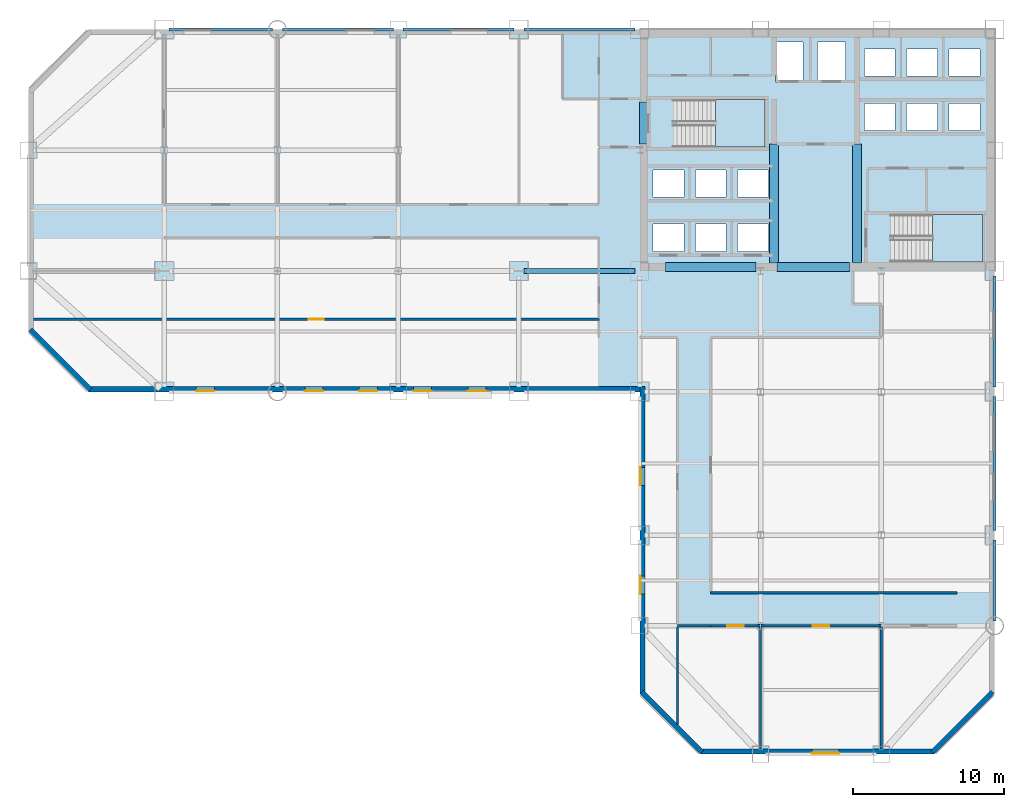
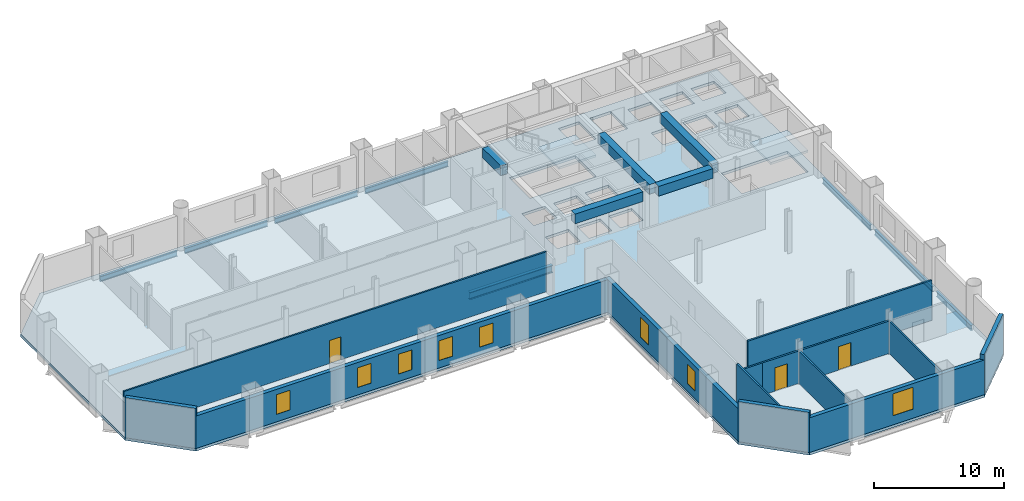
# One storey, part 4 of 9: 14 walls, 13 beams, 8 windows, 3 doors, 3 slabs, 11 openings, 2 elements without a shape of their own.
"""IFC4 building model written with IfcOpenShell, lengths in metres."""

from ifc_helpers import new_model, si_unit, direction, frame, frame_2d, origin, origin_2d, place, context, subcontext, project, spatial, polyline, rectangle, i_section, outline, extrude, material, layer, layer_set, material_profile, profile_set, type_object, element, fill, aggregate, save


model = new_model("IFC4")

# Units and contexts
model_context = context("Model", 3, precision=1e-05, world=origin(), true_north=direction((0.0, 1.0)))
body_context = subcontext(model_context, "Body", "Model", "MODEL_VIEW")
ifc_project = project(units=[si_unit("LENGTHUNIT", "METRE"), si_unit("AREAUNIT", "SQUARE_METRE"), si_unit("VOLUMEUNIT", "CUBIC_METRE"), si_unit("PLANEANGLEUNIT", "RADIAN"), si_unit("MASSUNIT", "GRAM", prefix="KILO")], contexts=[model_context])

# Site, building, storey
site_placement = place(None, origin())
site = spatial("IfcSite", under=ifc_project, at=site_placement, CompositionType="ELEMENT")
building_placement = place(site_placement, origin())
building = spatial("IfcBuilding", under=site, at=building_placement, Name="Qianrong Seaharbour Tower", CompositionType="ELEMENT")
storey_placement = place(building_placement, frame((0.0, 0.0, 52.199951171875)))
storey = spatial("IfcBuildingStorey", under=building, at=storey_placement, Name="L12", CompositionType="ELEMENT", Elevation=52.199951171875)

# Beams
ifc_material_1 = material(Name="Structural steel SN490B", Category="steel")
ifc_material_profile_1 = material_profile(ifc_material_1, i_section(OverallWidth=0.300048828125, OverallDepth=0.699951171875, WebThickness=0.012939453125, FlangeThickness=0.02392578125, FilletRadius=0.02587890625, at=origin_2d()), Name="H700x300x13x24")
ifc_profile_set_1 = profile_set([ifc_material_profile_1], Name="Structural steel SN490B")
beam_type_1 = type_object("IfcBeamType", Name="BM-G-700", PredefinedType="BEAM", material=ifc_profile_set_1)
beam_1_placement = place(storey_placement, frame((32.820068359375, 36.0, -0.599853515625), z_axis=(1.0, 0.0, 0.0), x_axis=(0.0, 1.0, 0.0)))
element("IfcBeam", 1, at=beam_1_placement, inside=storey, type_object=beam_type_1, Name="L12 Primary Girder GF G5-G6", PredefinedType="BEAM", context=body_context, shape_type="SweptSolid", body=[
    extrude(i_section(OverallWidth=0.300048828125, OverallDepth=0.699951171875, WebThickness=0.012939453125, FlangeThickness=0.02392578125, FilletRadius=0.02587890625, at=origin_2d()), origin(), (0.0, 0.0, 1.0), 7.35986328125),
])
ifc_material_2 = material(Name="Concrete C70/85", Category="concrete")
ifc_material_profile_2 = material_profile(ifc_material_2, rectangle(XDim=0.60009765625, YDim=0.89990234375, at=origin_2d()), Name="RC600x900")
ifc_profile_set_2 = profile_set([ifc_material_profile_2], Name="Concrete C70/85")
beam_type_2 = type_object("IfcBeamType", Name="BM-LINTEL-900", PredefinedType="LINTEL", material=ifc_profile_set_2)
beam_2_placement = place(storey_placement, frame((40.77001953125, 44.39990234375, 3.300048828125), z_axis=(0.0, 1.0, 0.0), x_axis=(-1.0, 0.0, 0.0)))
element("IfcBeam", 2, at=beam_2_placement, inside=storey, type_object=beam_type_2, Name="L12 Core Coupling Lintel Beam West", PredefinedType="LINTEL", context=body_context, shape_type="SweptSolid", body=[
    extrude(rectangle(XDim=0.60009765625, YDim=0.89990234375, at=origin_2d()), origin(), (0.0, 0.0, 1.0), 2.800048828125),
])
beam_3_placement = place(storey_placement, frame((42.199951171875, 36.27001953125, 3.300048828125), z_axis=(1.0, 0.0, 0.0), x_axis=(0.0, 1.0, 0.0)))
element("IfcBeam", 3, at=beam_3_placement, inside=storey, type_object=beam_type_2, Name="L12 Core Coupling Lintel Beam CBW", PredefinedType="LINTEL", context=body_context, shape_type="SweptSolid", body=[
    extrude(rectangle(XDim=0.60009765625, YDim=0.89990234375, at=origin_2d()), origin(), (0.0, 0.0, 1.0), 6.0),
])
beam_4_placement = place(storey_placement, frame((49.60009765625, 36.27001953125, 3.300048828125), z_axis=(1.0, 0.0, 0.0), x_axis=(0.0, 1.0, 0.0)))
element("IfcBeam", 4, at=beam_4_placement, inside=storey, type_object=beam_type_2, Name="L12 Core Coupling Lintel Beam CBC", PredefinedType="LINTEL", context=body_context, shape_type="SweptSolid", body=[
    extrude(rectangle(XDim=0.60009765625, YDim=0.89990234375, at=origin_2d()), origin(), (0.0, 0.0, 1.0), 4.7998046875),
])
for number, where, z_axis, x_axis, name in (
    (5, (49.39990234375, 36.5400390625, 3.300048828125), (0.0, 1.0, 0.0), (-1.0, 0.0, 0.0), "L12 Internal Core Coupling Beam IW1"),
    (6, (54.89990234375, 36.5400390625, 3.300048828125), (0.0, 1.0, 0.0), (-1.0, 0.0, 0.0), "L12 Internal Core Coupling Beam IW2"),
):
    element("IfcBeam", number, at=place(storey_placement, frame(where, z_axis=z_axis, x_axis=x_axis)), inside=storey, type_object=beam_type_2, Name=name, PredefinedType="LINTEL", context=body_context, shape_type="SweptSolid", body=[
        extrude(rectangle(XDim=0.60009765625, YDim=0.89990234375, at=origin_2d()), origin(), (0.0, 0.0, 1.0), 7.85986328125),
    ])
ifc_material_profile_3 = material_profile(ifc_material_1, i_section(OverallWidth=0.199951171875, OverallDepth=0.5, WebThickness=0.010009765625, FlangeThickness=0.01611328125, FilletRadius=0.02001953125, at=origin_2d()), Name="H500x200x10x16")
ifc_profile_set_3 = profile_set([ifc_material_profile_3], Name="Structural steel SN490B")
beam_type_3 = type_object("IfcBeamType", Name="BM-SP-500", PredefinedType="SPANDREL", material=ifc_profile_set_3)
beam_5_placement = place(storey_placement, frame((9.320068359375, 52.0, -0.5), z_axis=(1.0, 0.0, 0.0), x_axis=(0.0, 1.0, 0.0)))
element("IfcBeam", 7, at=beam_5_placement, inside=storey, type_object=beam_type_3, Name="L12 Spandrel Girder GH G2-G3", PredefinedType="SPANDREL", context=body_context, shape_type="SweptSolid", body=[
    extrude(i_section(OverallWidth=0.199951171875, OverallDepth=0.5, WebThickness=0.010009765625, FlangeThickness=0.01611328125, FilletRadius=0.02001953125, at=origin_2d()), origin(), (0.0, 0.0, 1.0), 6.85986328125),
])
for number, where, z_axis, x_axis, name in (
    (8, (16.820068359375, 52.0, -0.5), (1.0, 0.0, 0.0), (0.0, 1.0, 0.0), "L12 Spandrel Girder GH G3-G4"),
    (9, (24.820068359375, 52.0, -0.5), (1.0, 0.0, 0.0), (0.0, 1.0, 0.0), "L12 Spandrel Girder GH G4-G5"),
    (10, (32.820068359375, 52.0, -0.5), (1.0, 0.0, 0.0), (0.0, 1.0, 0.0), "L12 Spandrel Girder GH G5-G6"),
):
    element("IfcBeam", number, at=place(storey_placement, frame(where, z_axis=z_axis, x_axis=x_axis)), inside=storey, type_object=beam_type_3, Name=name, PredefinedType="SPANDREL", context=body_context, shape_type="SweptSolid", body=[
        extrude(i_section(OverallWidth=0.199951171875, OverallDepth=0.5, WebThickness=0.010009765625, FlangeThickness=0.01611328125, FilletRadius=0.02001953125, at=origin_2d()), origin(), (0.0, 0.0, 1.0), 7.35986328125),
    ])
beam_6_placement = place(storey_placement, frame((64.0, 12.820068359375, -0.5), z_axis=(0.0, 1.0, 0.0), x_axis=(-1.0, 0.0, 0.0)))
element("IfcBeam", 11, at=beam_6_placement, inside=storey, type_object=beam_type_3, Name="L12 Spandrel Girder G9 GC-GD", PredefinedType="SPANDREL", context=body_context, shape_type="SweptSolid", body=[
    extrude(i_section(OverallWidth=0.199951171875, OverallDepth=0.5, WebThickness=0.010009765625, FlangeThickness=0.01611328125, FilletRadius=0.02001953125, at=origin_2d()), origin(), (0.0, 0.0, 1.0), 5.35986328125),
])
beam_7_placement = place(storey_placement, frame((64.0, 18.820068359375, -0.5), z_axis=(0.0, 1.0, 0.0), x_axis=(-1.0, 0.0, 0.0)))
element("IfcBeam", 12, at=beam_7_placement, inside=storey, type_object=beam_type_3, Name="L12 Spandrel Girder G9 GD-GE", PredefinedType="SPANDREL", context=body_context, shape_type="SweptSolid", body=[
    extrude(i_section(OverallWidth=0.199951171875, OverallDepth=0.5, WebThickness=0.010009765625, FlangeThickness=0.01611328125, FilletRadius=0.02001953125, at=origin_2d()), origin(), (0.0, 0.0, 1.0), 8.85986328125),
])
beam_8_placement = place(storey_placement, frame((64.0, 28.320068359375, -0.5), z_axis=(0.0, 1.0, 0.0), x_axis=(-1.0, 0.0, 0.0)))
element("IfcBeam", 13, at=beam_8_placement, inside=storey, type_object=beam_type_3, Name="L12 Spandrel Girder G9 GE-GF", PredefinedType="SPANDREL", context=body_context, shape_type="SweptSolid", body=[
    extrude(i_section(OverallWidth=0.199951171875, OverallDepth=0.5, WebThickness=0.010009765625, FlangeThickness=0.01611328125, FilletRadius=0.02001953125, at=origin_2d()), origin(), (0.0, 0.0, 1.0), 7.35986328125),
])

# Stair, slab
ifc_material_3 = material(Name="Concrete C50/60", Category="concrete")
stair_type = type_object("IfcStairType", Name="STAIR-DOGLEG-1500-R22", PredefinedType="HALF_TURN_STAIR", material=ifc_material_3)
stair_1_placement = place(storey_placement, origin())
stair_1 = element("IfcStair", 14, at=stair_1_placement, inside=storey, type_object=stair_type, Name="L12 Protected Escape Stair ST-1", PredefinedType="HALF_TURN_STAIR")
ifc_layer_1 = layer(ifc_material_3, 0.199951171875)
ifc_layer_set_1 = layer_set([ifc_layer_1], Name="Concrete C50/60")
slab_type_1 = type_object("IfcSlabType", Name="SLAB-STAIR-LANDING-200", PredefinedType="LANDING", material=ifc_layer_set_1)
slab_1_placement = place(storey_placement, frame((0.0, 0.0, 1.800048828125)))
slab_1 = element("IfcSlab", 15, at=slab_1_placement, type_object=slab_type_1, Name="ST-1 landing 1", PredefinedType="LANDING", context=body_context, shape_type="SweptSolid", body=[
    extrude(outline(polyline([(45.5, 44.199951171875), (48.800048828125, 44.199951171875), (48.800048828125, 47.35009765625), (45.5, 47.35009765625), (45.5, 44.199951171875)])), origin(), (0.0, 0.0, 1.0), 0.199951171875),
])
aggregate(stair_1, [slab_1])

stair_2_placement = place(storey_placement, origin())
stair_2 = element("IfcStair", 16, at=stair_2_placement, inside=storey, type_object=stair_type, Name="L12 Protected Escape Stair ST-2", PredefinedType="HALF_TURN_STAIR")
slab_2_placement = place(storey_placement, frame((0.0, 0.0, 1.800048828125)))
slab_2 = element("IfcSlab", 17, at=slab_2_placement, type_object=slab_type_1, Name="ST-2 landing 1", PredefinedType="LANDING", context=body_context, shape_type="SweptSolid", body=[
    extrude(outline(polyline([(59.89990234375, 36.60009765625), (63.199951171875, 36.60009765625), (63.199951171875, 39.75), (59.89990234375, 39.75), (59.89990234375, 36.60009765625)])), origin(), (0.0, 0.0, 1.0), 0.199951171875),
])
aggregate(stair_2, [slab_2])

# Slab
ifc_layer_2 = layer(ifc_material_3, 0.25)
ifc_layer_set_2 = layer_set([ifc_layer_2], Name="Concrete C50/60")
slab_type_2 = type_object("IfcSlabType", Name="SLAB-Z1-250", PredefinedType="FLOOR", material=ifc_layer_set_2)
slab_3_placement = place(storey_placement, frame((0.0, 0.0, -0.25)))
element("IfcSlab", 18, at=slab_3_placement, inside=storey, type_object=slab_type_2, Name="L12 Structural Floor Slab", PredefinedType="FLOOR", context=body_context, shape_type="SweptSolid", body=[
    extrude(outline(polyline([(44.5, 4.0), (60.0, 4.0), (64.0, 8.0), (64.0, 52.0), (4.0, 52.0), (0.0, 48.0), (0.0, 32.0), (4.0, 28.0), (40.5, 28.0), (40.5, 8.0), (44.5, 4.0)]), holes=[polyline([(42.93994140625, 44.199951171875), (42.93994140625, 47.35009765625), (48.800048828125, 47.35009765625), (48.800048828125, 44.199951171875), (42.93994140625, 44.199951171875)]), polyline([(57.340087890625, 36.60009765625), (57.340087890625, 39.75), (63.199951171875, 39.75), (63.199951171875, 36.60009765625), (57.340087890625, 36.60009765625)]), polyline([(49.47998046875, 48.530029296875), (49.47998046875, 51.169921875), (51.320068359375, 51.169921875), (51.320068359375, 48.530029296875), (49.47998046875, 48.530029296875)]), polyline([(52.280029296875, 48.530029296875), (52.280029296875, 51.169921875), (54.1201171875, 51.169921875), (54.1201171875, 48.530029296875), (52.280029296875, 48.530029296875)]), polyline([(41.3798828125, 37.300048828125), (41.3798828125, 39.10009765625), (43.419921875, 39.10009765625), (43.419921875, 37.300048828125), (41.3798828125, 37.300048828125)]), polyline([(44.179931640625, 37.300048828125), (44.179931640625, 39.10009765625), (46.219970703125, 39.10009765625), (46.219970703125, 37.300048828125), (44.179931640625, 37.300048828125)]), polyline([(46.97998046875, 37.300048828125), (46.97998046875, 39.10009765625), (49.02001953125, 39.10009765625), (49.02001953125, 37.300048828125), (46.97998046875, 37.300048828125)]), polyline([(41.3798828125, 40.89990234375), (41.3798828125, 42.699951171875), (43.419921875, 42.699951171875), (43.419921875, 40.89990234375), (41.3798828125, 40.89990234375)]), polyline([(44.179931640625, 40.89990234375), (44.179931640625, 42.699951171875), (46.219970703125, 42.699951171875), (46.219970703125, 40.89990234375), (44.179931640625, 40.89990234375)]), polyline([(46.97998046875, 40.89990234375), (46.97998046875, 42.699951171875), (49.02001953125, 42.699951171875), (49.02001953125, 40.89990234375), (46.97998046875, 40.89990234375)]), polyline([(55.3798828125, 45.300048828125), (55.3798828125, 47.10009765625), (57.419921875, 47.10009765625), (57.419921875, 45.300048828125), (55.3798828125, 45.300048828125)]), polyline([(58.179931640625, 45.300048828125), (58.179931640625, 47.10009765625), (60.219970703125, 47.10009765625), (60.219970703125, 45.300048828125), (58.179931640625, 45.300048828125)]), polyline([(60.97998046875, 45.300048828125), (60.97998046875, 47.10009765625), (63.02001953125, 47.10009765625), (63.02001953125, 45.300048828125), (60.97998046875, 45.300048828125)]), polyline([(55.3798828125, 48.89990234375), (55.3798828125, 50.699951171875), (57.419921875, 50.699951171875), (57.419921875, 48.89990234375), (55.3798828125, 48.89990234375)]), polyline([(58.179931640625, 48.89990234375), (58.179931640625, 50.699951171875), (60.219970703125, 50.699951171875), (60.219970703125, 48.89990234375), (58.179931640625, 48.89990234375)]), polyline([(60.97998046875, 48.89990234375), (60.97998046875, 50.699951171875), (63.02001953125, 50.699951171875), (63.02001953125, 48.89990234375), (60.97998046875, 48.89990234375)])]), origin(), (0.0, 0.0, 1.0), 0.25),
])

# Walls
ifc_material_4 = material(Name="Fire-rated acoustic gypsum board partition")
ifc_layer_3 = layer(ifc_material_4, 0.1650390625)
ifc_layer_set_3 = layer_set([ifc_layer_3], Name="Fire-rated acoustic gypsum board partition")
wall_type_1 = type_object("IfcWallType", Name="WALL-CORR-PART-165", PredefinedType="PARTITIONING", material=ifc_layer_set_3)
wall_1_placement = place(storey_placement, frame((45.199951171875, 12.5, 0.0), z_axis=(0.0, 0.0, 1.0), x_axis=(-1.0, 0.0, 0.0)))
element("IfcWall", 19, at=wall_1_placement, inside=storey, type_object=wall_type_1, Name="L12 Interior Partition Wall 031", PredefinedType="PARTITIONING", context=body_context, shape_type="SweptSolid", body=[
    extrude(rectangle(XDim=2.199951171875, YDim=0.1650390625, at=frame_2d((1.10009765625, 0.0))), origin(), (0.0, 0.0, 1.0), 3.0419921875),
])
wall_2_placement = place(storey_placement, frame((45.199951171875, 14.699951171875, 0.0), z_axis=(0.0, 0.0, 1.0), x_axis=(1.0, 0.0, 0.0)))
element("IfcWall", 20, at=wall_2_placement, inside=storey, type_object=wall_type_1, Name="L12 Interior Partition Wall 032", PredefinedType="PARTITIONING", context=body_context, shape_type="SweptSolid", body=[
    extrude(rectangle(XDim=16.300048828125, YDim=0.1650390625, at=frame_2d((8.14990234375, 0.0))), origin(), (0.0, 0.0, 1.0), 3.75),
])

# Wall, opening, door
wall_3_placement = place(storey_placement, frame((48.5, 12.5, 0.0), z_axis=(0.0, 0.0, 1.0), x_axis=(-1.0, 0.0, 0.0)))
wall_3 = element("IfcWall", 21, at=wall_3_placement, inside=storey, type_object=wall_type_1, Name="L12 Interior Partition Wall 033", PredefinedType="PARTITIONING", context=body_context, shape_type="SweptSolid", body=[
    extrude(rectangle(XDim=3.300048828125, YDim=0.1650390625, at=frame_2d((1.64990234375, 0.0))), origin(), (0.0, 0.0, 1.0), 3.0419921875),
])
opening_1_placement = place(wall_3_placement, frame((1.10009765625, 0.0, 0.0)))
opening_1 = element("IfcOpeningElement", 22, at=opening_1_placement, cuts=wall_3, Name="Opening DM-01", PredefinedType="OPENING", context=body_context, shape_type="SweptSolid", body=[
    extrude(rectangle(XDim=1.10009765625, YDim=2.199951171875, at=frame_2d((0.550048828125, 1.10009765625))), frame((0.0, 0.092529296875, 0.0), z_axis=(0.0, -1.0, 0.0), x_axis=(1.0, 0.0, 0.0)), (0.0, 0.0, 1.0), 0.18505859375),
])
ifc_material_5 = material(Name="Acoustic timber and galvanized steel fire door assembly", Category="steel")
door_type_1 = type_object("IfcDoorType", Name="DOOR-MEET-1100x2200", OperationType="NOTDEFINED", PredefinedType="DOOR", material=ifc_material_5)
door_1_placement = place(opening_1_placement, origin())
door_1 = element("IfcDoor", 23, at=door_1_placement, inside=storey, type_object=door_type_1, Name="L12 Maritime Seminar Room 1 Door", OperationType="SINGLE_SWING_LEFT", OverallHeight=2.199951171875, OverallWidth=1.10009765625, PredefinedType="DOOR", context=body_context, shape_type="SweptSolid", body=[
    extrude(rectangle(XDim=1.10009765625, YDim=2.199951171875, at=frame_2d((0.550048828125, 1.10009765625))), frame((0.0, 0.02490234375, 0.0), z_axis=(0.0, -1.0, 0.0), x_axis=(1.0, 0.0, 0.0)), (0.0, 0.0, 1.0), 0.050048828125),
])
fill(opening_1, door_1)

wall_4_placement = place(storey_placement, frame((56.5, 12.5, 0.0), z_axis=(0.0, 0.0, 1.0), x_axis=(-1.0, 0.0, 0.0)))
wall_4 = element("IfcWall", 24, at=wall_4_placement, inside=storey, type_object=wall_type_1, Name="L12 Interior Partition Wall 034", PredefinedType="PARTITIONING", context=body_context, shape_type="SweptSolid", body=[
    extrude(rectangle(XDim=8.0, YDim=0.1650390625, at=frame_2d((4.0, 0.0))), origin(), (0.0, 0.0, 1.0), 3.0419921875),
])
opening_2_placement = place(wall_4_placement, frame((3.449951171875, 0.0, 0.0)))
opening_2 = element("IfcOpeningElement", 25, at=opening_2_placement, cuts=wall_4, Name="Opening DM-01", PredefinedType="OPENING", context=body_context, shape_type="SweptSolid", body=[
    extrude(rectangle(XDim=1.10009765625, YDim=2.199951171875, at=frame_2d((0.550048828125, 1.10009765625))), frame((0.0, 0.092529296875, 0.0), z_axis=(0.0, -1.0, 0.0), x_axis=(1.0, 0.0, 0.0)), (0.0, 0.0, 1.0), 0.18505859375),
])
door_2_placement = place(opening_2_placement, origin())
door_2 = element("IfcDoor", 26, at=door_2_placement, inside=storey, type_object=door_type_1, Name="L12 Meeting Room 2 Door", OperationType="SINGLE_SWING_RIGHT", OverallHeight=2.199951171875, OverallWidth=1.10009765625, PredefinedType="DOOR", context=body_context, shape_type="SweptSolid", body=[
    extrude(rectangle(XDim=1.10009765625, YDim=2.199951171875, at=frame_2d((0.550048828125, 1.10009765625))), frame((0.0, 0.02490234375, 0.0), z_axis=(0.0, -1.0, 0.0), x_axis=(1.0, 0.0, 0.0)), (0.0, 0.0, 1.0), 0.050048828125),
])
fill(opening_2, door_2)

# Wall, openings, windows
ifc_material_6 = material(Name="Unitised buff brick on Precast concrete C45/55", Category="masonry")
ifc_layer_4 = layer(ifc_material_6, 0.340087890625)
ifc_layer_set_4 = layer_set([ifc_layer_4], Name="Unitised buff brick on Precast concrete C45/55")
wall_type_2 = type_object("IfcWallType", Name="WALL-EXT-BRICK-BUFF-340", PredefinedType="SOLIDWALL", material=ifc_layer_set_4)
wall_5_placement = place(storey_placement, frame((40.669921875, 8.0, 0.0), z_axis=(0.0, 0.0, 1.0), x_axis=(0.0, 1.0, 0.0)))
wall_5 = element("IfcWall", 27, at=wall_5_placement, inside=storey, type_object=wall_type_2, Name="L12 Exterior Masonry Facade Wall REENTRANT_WEST", PredefinedType="SOLIDWALL", context=body_context, shape_type="SweptSolid", body=[
    extrude(rectangle(XDim=20.340087890625, YDim=0.340087890625, at=frame_2d((10.169921875, 0.0))), origin(), (0.0, 0.0, 1.0), 3.050048828125),
])
opening_3_placement = place(wall_5_placement, frame((6.60009765625, 0.0, 0.699951171875)))
opening_3 = element("IfcOpeningElement", 28, at=opening_3_placement, cuts=wall_5, Name="Opening WN-01", PredefinedType="OPENING", context=body_context, shape_type="SweptSolid", body=[
    extrude(rectangle(XDim=1.199951171875, YDim=1.85009765625, at=frame_2d((0.60009765625, 0.925048828125))), frame((0.0, 0.18017578125, 0.0), z_axis=(0.0, -1.0, 0.0), x_axis=(1.0, 0.0, 0.0)), (0.0, 0.0, 1.0), 0.360107421875),
])
opening_4_placement = place(wall_5_placement, frame((13.800048828125, 0.0, 0.699951171875)))
opening_4 = element("IfcOpeningElement", 29, at=opening_4_placement, cuts=wall_5, Name="Opening WN-01", PredefinedType="OPENING", context=body_context, shape_type="SweptSolid", body=[
    extrude(rectangle(XDim=1.199951171875, YDim=1.85009765625, at=frame_2d((0.60009765625, 0.925048828125))), frame((0.0, 0.18017578125, 0.0), z_axis=(0.0, -1.0, 0.0), x_axis=(1.0, 0.0, 0.0)), (0.0, 0.0, 1.0), 0.360107421875),
])
ifc_material_7 = material(Name="Insulated low-e double glazing in thermally broken aluminium 6063-T6 frame", Category="aluminium")
window_type_1 = type_object("IfcWindowType", Name="WIN-PUNCH-1200x1850", PartitioningType="DOUBLE_PANEL_VERTICAL", PredefinedType="WINDOW", material=ifc_material_7)
window_1_placement = place(opening_3_placement, origin())
window_1 = element("IfcWindow", 30, at=window_1_placement, inside=storey, type_object=window_type_1, Name="L12 Deep-Set Punched Window 00.02", OverallHeight=1.85009765625, OverallWidth=1.199951171875, PartitioningType="DOUBLE_PANEL_VERTICAL", PredefinedType="WINDOW", context=body_context, shape_type="SweptSolid", body=[
    extrude(rectangle(XDim=1.199951171875, YDim=1.85009765625, at=frame_2d((0.60009765625, 0.925048828125))), frame((0.0, 0.150146484375, 0.0), z_axis=(0.0, -1.0, 0.0), x_axis=(1.0, 0.0, 0.0)), (0.0, 0.0, 1.0), 0.06005859375),
])
fill(opening_3, window_1)
window_2_placement = place(opening_4_placement, origin())
window_2 = element("IfcWindow", 31, at=window_2_placement, inside=storey, type_object=window_type_1, Name="L12 Deep-Set Punched Window 00.04", OverallHeight=1.85009765625, OverallWidth=1.199951171875, PartitioningType="DOUBLE_PANEL_VERTICAL", PredefinedType="WINDOW", context=body_context, shape_type="SweptSolid", body=[
    extrude(rectangle(XDim=1.199951171875, YDim=1.85009765625, at=frame_2d((0.60009765625, 0.925048828125))), frame((0.0, 0.150146484375, 0.0), z_axis=(0.0, -1.0, 0.0), x_axis=(1.0, 0.0, 0.0)), (0.0, 0.0, 1.0), 0.06005859375),
])
fill(opening_4, window_2)

wall_6_placement = place(storey_placement, frame((40.52001953125, 28.169921875, 0.0), z_axis=(0.0, 0.0, 1.0), x_axis=(-1.0, 0.0, 0.0)))
wall_6 = element("IfcWall", 32, at=wall_6_placement, inside=storey, type_object=wall_type_2, Name="L12 Exterior Masonry Facade Wall HARBOUR_RIBBON", PredefinedType="SOLIDWALL", context=body_context, shape_type="SweptSolid", body=[
    extrude(rectangle(XDim=36.52001953125, YDim=0.340087890625, at=frame_2d((18.260009765625, 0.0))), origin(), (0.0, 0.0, 1.0), 3.050048828125),
])
opening_5_placement = place(wall_6_placement, frame((10.199951171875, 0.0, 0.699951171875)))
opening_5 = element("IfcOpeningElement", 33, at=opening_5_placement, cuts=wall_6, Name="Opening WN-01", PredefinedType="OPENING", context=body_context, shape_type="SweptSolid", body=[
    extrude(rectangle(XDim=1.199951171875, YDim=1.85009765625, at=frame_2d((0.60009765625, 0.925048828125))), frame((0.0, 0.18017578125, 0.0), z_axis=(0.0, -1.0, 0.0), x_axis=(1.0, 0.0, 0.0)), (0.0, 0.0, 1.0), 0.360107421875),
])
opening_6_placement = place(wall_6_placement, frame((13.800048828125, 0.0, 0.699951171875)))
opening_6 = element("IfcOpeningElement", 34, at=opening_6_placement, cuts=wall_6, Name="Opening WN-01", PredefinedType="OPENING", context=body_context, shape_type="SweptSolid", body=[
    extrude(rectangle(XDim=1.199951171875, YDim=1.85009765625, at=frame_2d((0.60009765625, 0.925048828125))), frame((0.0, 0.18017578125, 0.0), z_axis=(0.0, -1.0, 0.0), x_axis=(1.0, 0.0, 0.0)), (0.0, 0.0, 1.0), 0.360107421875),
])
opening_7_placement = place(wall_6_placement, frame((17.39990234375, 0.0, 0.699951171875)))
opening_7 = element("IfcOpeningElement", 35, at=opening_7_placement, cuts=wall_6, Name="Opening WN-01", PredefinedType="OPENING", context=body_context, shape_type="SweptSolid", body=[
    extrude(rectangle(XDim=1.199951171875, YDim=1.85009765625, at=frame_2d((0.60009765625, 0.925048828125))), frame((0.0, 0.18017578125, 0.0), z_axis=(0.0, -1.0, 0.0), x_axis=(1.0, 0.0, 0.0)), (0.0, 0.0, 1.0), 0.360107421875),
])
opening_8_placement = place(wall_6_placement, frame((21.0, 0.0, 0.699951171875)))
opening_8 = element("IfcOpeningElement", 36, at=opening_8_placement, cuts=wall_6, Name="Opening WN-01", PredefinedType="OPENING", context=body_context, shape_type="SweptSolid", body=[
    extrude(rectangle(XDim=1.199951171875, YDim=1.85009765625, at=frame_2d((0.60009765625, 0.925048828125))), frame((0.0, 0.18017578125, 0.0), z_axis=(0.0, -1.0, 0.0), x_axis=(1.0, 0.0, 0.0)), (0.0, 0.0, 1.0), 0.360107421875),
])
opening_9_placement = place(wall_6_placement, frame((28.199951171875, 0.0, 0.699951171875)))
opening_9 = element("IfcOpeningElement", 37, at=opening_9_placement, cuts=wall_6, Name="Opening WN-01", PredefinedType="OPENING", context=body_context, shape_type="SweptSolid", body=[
    extrude(rectangle(XDim=1.199951171875, YDim=1.85009765625, at=frame_2d((0.60009765625, 0.925048828125))), frame((0.0, 0.18017578125, 0.0), z_axis=(0.0, -1.0, 0.0), x_axis=(1.0, 0.0, 0.0)), (0.0, 0.0, 1.0), 0.360107421875),
])
window_3_placement = place(opening_5_placement, origin())
window_3 = element("IfcWindow", 38, at=window_3_placement, inside=storey, type_object=window_type_1, Name="L12 Deep-Set Punched Window 01.03", OverallHeight=1.85009765625, OverallWidth=1.199951171875, PartitioningType="DOUBLE_PANEL_VERTICAL", PredefinedType="WINDOW", context=body_context, shape_type="SweptSolid", body=[
    extrude(rectangle(XDim=1.199951171875, YDim=1.85009765625, at=frame_2d((0.60009765625, 0.925048828125))), frame((0.0, 0.150146484375, 0.0), z_axis=(0.0, -1.0, 0.0), x_axis=(1.0, 0.0, 0.0)), (0.0, 0.0, 1.0), 0.06005859375),
])
fill(opening_5, window_3)
window_4_placement = place(opening_6_placement, origin())
window_4 = element("IfcWindow", 39, at=window_4_placement, inside=storey, type_object=window_type_1, Name="L12 Deep-Set Punched Window 01.04", OverallHeight=1.85009765625, OverallWidth=1.199951171875, PartitioningType="DOUBLE_PANEL_VERTICAL", PredefinedType="WINDOW", context=body_context, shape_type="SweptSolid", body=[
    extrude(rectangle(XDim=1.199951171875, YDim=1.85009765625, at=frame_2d((0.60009765625, 0.925048828125))), frame((0.0, 0.150146484375, 0.0), z_axis=(0.0, -1.0, 0.0), x_axis=(1.0, 0.0, 0.0)), (0.0, 0.0, 1.0), 0.06005859375),
])
fill(opening_6, window_4)
window_5_placement = place(opening_7_placement, origin())
window_5 = element("IfcWindow", 40, at=window_5_placement, inside=storey, type_object=window_type_1, Name="L12 Deep-Set Punched Window 01.05", OverallHeight=1.85009765625, OverallWidth=1.199951171875, PartitioningType="DOUBLE_PANEL_VERTICAL", PredefinedType="WINDOW", context=body_context, shape_type="SweptSolid", body=[
    extrude(rectangle(XDim=1.199951171875, YDim=1.85009765625, at=frame_2d((0.60009765625, 0.925048828125))), frame((0.0, 0.150146484375, 0.0), z_axis=(0.0, -1.0, 0.0), x_axis=(1.0, 0.0, 0.0)), (0.0, 0.0, 1.0), 0.06005859375),
])
fill(opening_7, window_5)
window_6_placement = place(opening_8_placement, origin())
window_6 = element("IfcWindow", 41, at=window_6_placement, inside=storey, type_object=window_type_1, Name="L12 Deep-Set Punched Window 01.06", OverallHeight=1.85009765625, OverallWidth=1.199951171875, PartitioningType="DOUBLE_PANEL_VERTICAL", PredefinedType="WINDOW", context=body_context, shape_type="SweptSolid", body=[
    extrude(rectangle(XDim=1.199951171875, YDim=1.85009765625, at=frame_2d((0.60009765625, 0.925048828125))), frame((0.0, 0.150146484375, 0.0), z_axis=(0.0, -1.0, 0.0), x_axis=(1.0, 0.0, 0.0)), (0.0, 0.0, 1.0), 0.06005859375),
])
fill(opening_8, window_6)
window_7_placement = place(opening_9_placement, origin())
window_7 = element("IfcWindow", 42, at=window_7_placement, inside=storey, type_object=window_type_1, Name="L12 Deep-Set Punched Window 01.08", OverallHeight=1.85009765625, OverallWidth=1.199951171875, PartitioningType="DOUBLE_PANEL_VERTICAL", PredefinedType="WINDOW", context=body_context, shape_type="SweptSolid", body=[
    extrude(rectangle(XDim=1.199951171875, YDim=1.85009765625, at=frame_2d((0.60009765625, 0.925048828125))), frame((0.0, 0.150146484375, 0.0), z_axis=(0.0, -1.0, 0.0), x_axis=(1.0, 0.0, 0.0)), (0.0, 0.0, 1.0), 0.06005859375),
])
fill(opening_9, window_7)

# Walls
for number, where, z_axis, x_axis, name in (
    (43, (4.1201171875, 28.1201171875, 0.0), (0.0, 0.0, 1.0), (-0.707106781187, 0.707106781187, 0.0), "L12 Exterior Masonry Facade Wall E02"),
    (44, (63.8798828125, 8.1201171875, 0.0), (0.0, 0.0, 1.0), (-0.707106781187, -0.707106781187, 0.0), "L12 Exterior Masonry Facade Wall E07"),
):
    element("IfcWall", number, at=place(storey_placement, frame(where, z_axis=z_axis, x_axis=x_axis)), inside=storey, type_object=wall_type_2, Name=name, PredefinedType="SOLIDWALL", context=body_context, shape_type="SweptSolid", body=[
        extrude(rectangle(XDim=5.65673828125, YDim=0.340087890625, at=frame_2d((2.828369140625, 0.0))), origin(), (0.0, 0.0, 1.0), 3.75),
    ])

# Wall, opening, window
wall_7_placement = place(storey_placement, frame((60.0, 4.169921875, 0.0), z_axis=(0.0, 0.0, 1.0), x_axis=(-1.0, 0.0, 0.0)))
wall_7 = element("IfcWall", 45, at=wall_7_placement, inside=storey, type_object=wall_type_2, Name="L12 Exterior Masonry Facade Wall SOUTH_TIP", PredefinedType="SOLIDWALL", context=body_context, shape_type="SweptSolid", body=[
    extrude(rectangle(XDim=15.5, YDim=0.340087890625, at=frame_2d((7.75, 0.0))), origin(), (0.0, 0.0, 1.0), 3.25),
])
opening_10_placement = place(wall_7_placement, frame((6.300048828125, 0.0, 0.85009765625)))
opening_10 = element("IfcOpeningElement", 46, at=opening_10_placement, cuts=wall_7, Name="Opening WN-05", PredefinedType="OPENING", context=body_context, shape_type="SweptSolid", body=[
    extrude(rectangle(XDim=1.800048828125, YDim=2.050048828125, at=frame_2d((0.89990234375, 1.02490234375))), frame((0.0, 0.18017578125, 0.0), z_axis=(0.0, -1.0, 0.0), x_axis=(1.0, 0.0, 0.0)), (0.0, 0.0, 1.0), 0.360107421875),
])
window_type_2 = type_object("IfcWindowType", Name="WIN-PUNCH-1800x2050", PartitioningType="TRIPLE_PANEL_VERTICAL", PredefinedType="WINDOW", material=ifc_material_7)
window_8_placement = place(opening_10_placement, origin())
window_8 = element("IfcWindow", 47, at=window_8_placement, inside=storey, type_object=window_type_2, Name="L12 Deep-Set Punched Window 08.02", OverallHeight=2.050048828125, OverallWidth=1.800048828125, PartitioningType="TRIPLE_PANEL_VERTICAL", PredefinedType="WINDOW", context=body_context, shape_type="SweptSolid", body=[
    extrude(rectangle(XDim=1.800048828125, YDim=2.050048828125, at=frame_2d((0.89990234375, 1.02490234375))), frame((0.0, 0.150146484375, 0.0), z_axis=(0.0, -1.0, 0.0), x_axis=(1.0, 0.0, 0.0)), (0.0, 0.0, 1.0), 0.06005859375),
])
fill(opening_10, window_8)

# Walls
wall_8_placement = place(storey_placement, frame((44.6201171875, 4.1201171875, 0.0), z_axis=(0.0, 0.0, 1.0), x_axis=(-0.707106781187, 0.707106781187, 0.0)))
element("IfcWall", 48, at=wall_8_placement, inside=storey, type_object=wall_type_2, Name="L12 Exterior Masonry Facade Wall E09", PredefinedType="SOLIDWALL", context=body_context, shape_type="SweptSolid", body=[
    extrude(rectangle(XDim=5.65673828125, YDim=0.340087890625, at=frame_2d((2.828369140625, 0.0))), origin(), (0.0, 0.0, 1.0), 3.75),
])
ifc_material_8 = material(Name="Acoustic gypsum board stud partition")
ifc_layer_5 = layer(ifc_material_8, 0.14501953125)
ifc_layer_set_5 = layer_set([ifc_layer_5], Name="Acoustic gypsum board stud partition")
wall_type_3 = type_object("IfcWallType", Name="WALL-OFFICE-PART-145", PredefinedType="PARTITIONING", material=ifc_layer_set_5)
wall_9_placement = place(storey_placement, frame((43.0, 12.425537109375, 0.0), z_axis=(0.0, 0.0, 1.0), x_axis=(0.0, -1.0, 0.0)))
element("IfcWall", 49, at=wall_9_placement, inside=storey, type_object=wall_type_3, Name="L12 Interior Partition Wall 036", PredefinedType="PARTITIONING", context=body_context, shape_type="SweptSolid", body=[
    extrude(rectangle(XDim=6.4560546875, YDim=0.14501953125, at=frame_2d((3.22802734375, 0.0))), origin(), (0.0, 0.0, 1.0), 3.75),
])

# Wall, opening, door
wall_10_placement = place(storey_placement, frame((0.33203125, 32.800048828125, 0.0), z_axis=(0.0, 0.0, 1.0), x_axis=(1.0, 0.0, 0.0)))
wall_10 = element("IfcWall", 50, at=wall_10_placement, inside=storey, type_object=wall_type_3, Name="L12 Interior Partition Wall 041", PredefinedType="PARTITIONING", context=body_context, shape_type="SweptSolid", body=[
    extrude(rectangle(XDim=37.468017578125, YDim=0.14501953125, at=frame_2d((18.73388671875, 0.0))), origin(), (0.0, 0.0, 1.0), 3.75),
])
opening_11_placement = place(wall_10_placement, frame((18.23388671875, 0.0, 0.0)))
opening_11 = element("IfcOpeningElement", 51, at=opening_11_placement, cuts=wall_10, Name="Opening DO-01", PredefinedType="OPENING", context=body_context, shape_type="SweptSolid", body=[
    extrude(rectangle(XDim=1.0, YDim=2.14990234375, at=frame_2d((0.5, 1.074951171875))), frame((0.0, 0.08251953125, 0.0), z_axis=(0.0, -1.0, 0.0), x_axis=(1.0, 0.0, 0.0)), (0.0, 0.0, 1.0), 0.1650390625),
])
door_type_2 = type_object("IfcDoorType", Name="DOOR-OFFICE-1000x2150", OperationType="NOTDEFINED", PredefinedType="DOOR", material=ifc_material_5)
door_3_placement = place(opening_11_placement, origin())
door_3 = element("IfcDoor", 52, at=door_3_placement, inside=storey, type_object=door_type_2, Name="L12 Harbour Lecture Hall 1 Door", OperationType="SINGLE_SWING_RIGHT", OverallHeight=2.14990234375, OverallWidth=1.0, PredefinedType="DOOR", context=body_context, shape_type="SweptSolid", body=[
    extrude(rectangle(XDim=1.0, YDim=2.14990234375, at=frame_2d((0.5, 1.074951171875))), frame((0.0, 0.02490234375, 0.0), z_axis=(0.0, -1.0, 0.0), x_axis=(1.0, 0.0, 0.0)), (0.0, 0.0, 1.0), 0.050048828125),
])
fill(opening_11, door_3)

# Walls
for number, where, z_axis, x_axis, name in (
    (53, (48.5, 12.425537109375, 0.0), (0.0, 0.0, 1.0), (0.0, -1.0, 0.0), "L12 Interior Partition Wall 043"),
    (54, (56.5, 12.425537109375, 0.0), (0.0, 0.0, 1.0), (0.0, -1.0, 0.0), "L12 Interior Partition Wall 044"),
):
    element("IfcWall", number, at=place(storey_placement, frame(where, z_axis=z_axis, x_axis=x_axis)), inside=storey, type_object=wall_type_3, Name=name, PredefinedType="PARTITIONING", context=body_context, shape_type="SweptSolid", body=[
        extrude(rectangle(XDim=8.093505859375, YDim=0.14501953125, at=frame_2d((4.046875, 0.0))), origin(), (0.0, 0.0, 1.0), 3.0419921875),
    ])

save(model, "model.ifc")
